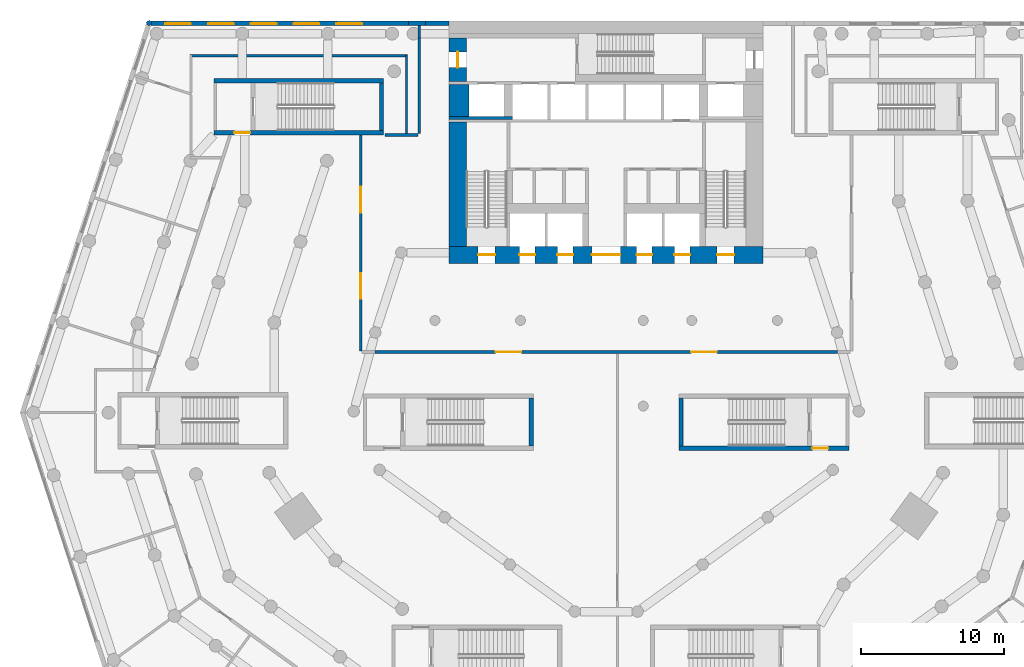
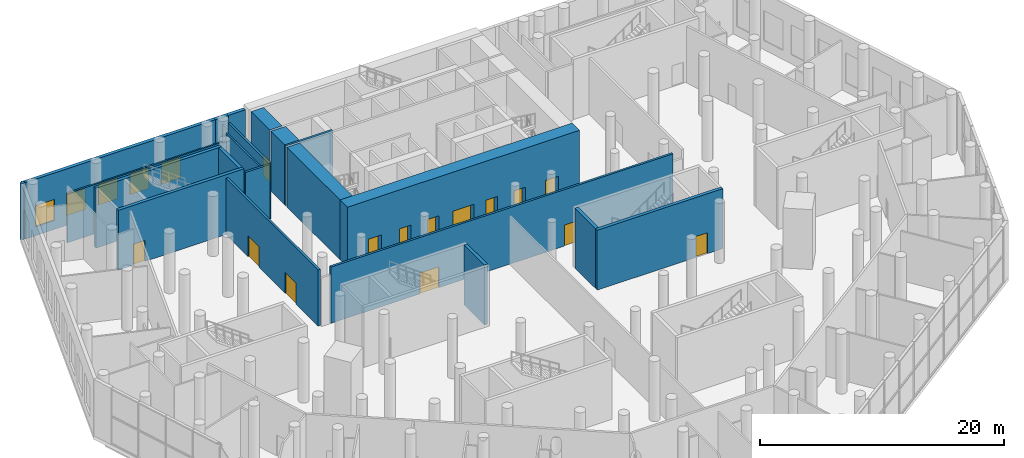
# One storey, part 15 of 23: 22 walls, 14 doors, 5 windows, 19 openings.
"""IFC4 building model written with IfcOpenShell, lengths in metres."""

from ifc_helpers import new_model, si_unit, direction, frame, frame_2d, origin, place, context, subcontext, project, spatial, rectangle, extrude, material, layer, layer_set, type_object, element, fill, save


model = new_model("IFC4")

# Units and contexts
model_context = context("Model", 3, precision=1e-05, world=origin(), true_north=direction((0.0, 1.0)))
body_context = subcontext(model_context, "Body", "Model", "MODEL_VIEW")
ifc_project = project(units=[si_unit("LENGTHUNIT", "METRE"), si_unit("AREAUNIT", "SQUARE_METRE"), si_unit("VOLUMEUNIT", "CUBIC_METRE"), si_unit("PLANEANGLEUNIT", "RADIAN"), si_unit("MASSUNIT", "GRAM", prefix="KILO")], contexts=[model_context])

# Site, building, storey
site_placement = place(None, origin())
site = spatial("IfcSite", under=ifc_project, at=site_placement, CompositionType="ELEMENT")
building_placement = place(site_placement, origin())
building = spatial("IfcBuilding", under=site, at=building_placement, Name="White Candle Pilgrim Tower", CompositionType="ELEMENT")
storey_placement = place(building_placement, frame((0.0, 0.0, 9.0)))
storey = spatial("IfcBuildingStorey", under=building, at=storey_placement, Name="L01", CompositionType="ELEMENT", Elevation=9.0)

# Walls
ifc_material_1 = material(Name="Autoclaved aerated block D500, plastered")
ifc_layer_1 = layer(ifc_material_1, 0.199951171875)
ifc_layer_set_1 = layer_set([ifc_layer_1], Name="Compartment wall 200 mm REI 240")
wall_type_1 = type_object("IfcWallType", Name="Compartment wall 200 mm REI 240", PredefinedType="PARTITIONING", material=ifc_layer_set_1)
wall_1_placement = place(storey_placement, frame((54.4990234375, 80.0, 0.0), z_axis=(0.0, 0.0, 1.0), x_axis=(1.0, 0.0, 0.0)))
element("IfcWall", 1, at=wall_1_placement, inside=storey, type_object=wall_type_1, Name="WL-L01-P003", PredefinedType="PARTITIONING", context=body_context, shape_type="SweptSolid", body=[
    extrude(rectangle(XDim=2.301025390625, YDim=0.199951171875, at=frame_2d((1.150390625, 0.0))), origin(), (0.0, 0.0, 1.0), 5.64990234375),
])
wall_2_placement = place(storey_placement, frame((56.89990234375, 80.10009765625, 0.0), z_axis=(0.0, 0.0, 1.0), x_axis=(0.0, 1.0, 0.0)))
element("IfcWall", 2, at=wall_2_placement, inside=storey, type_object=wall_type_1, Name="WL-L01-P004", PredefinedType="PARTITIONING", context=body_context, shape_type="SweptSolid", body=[
    extrude(rectangle(XDim=6.682373046875, YDim=0.199951171875, at=frame_2d((3.34130859375, 0.0))), origin(), (0.0, 0.0, 1.0), 5.64990234375),
])
wall_3_placement = place(storey_placement, frame((56.89990234375, 86.782470703125, 0.0), z_axis=(0.0, 0.0, 1.0), x_axis=(0.0, 1.0, 0.0)))
element("IfcWall", 3, at=wall_3_placement, inside=storey, type_object=wall_type_1, Name="WL-L01-P004a", PredefinedType="PARTITIONING", context=body_context, shape_type="SweptSolid", body=[
    extrude(rectangle(XDim=0.8974609375, YDim=0.199951171875, at=frame_2d((0.44873046875, 0.0))), origin(), (0.0, 0.0, 1.0), 4.949951171875),
])

# Wall, openings, doors
wall_4_placement = place(storey_placement, frame((86.199951171875, 64.800048828125, 0.0), z_axis=(0.0, 0.0, 1.0), x_axis=(-1.0, 0.0, 0.0)))
wall_4 = element("IfcWall", 4, at=wall_4_placement, inside=storey, type_object=wall_type_1, Name="WL-L01-P034a", PredefinedType="PARTITIONING", context=body_context, shape_type="SweptSolid", body=[
    extrude(rectangle(XDim=32.39990234375, YDim=0.199951171875, at=frame_2d((16.199951171875, 0.0))), origin(), (0.0, 0.0, 1.0), 5.64990234375),
])
opening_1_placement = place(wall_4_placement, frame((8.449951171875, 0.0, 0.0)))
opening_1 = element("IfcOpeningElement", 5, at=opening_1_placement, cuts=wall_4, Name="Opening L01-123", PredefinedType="OPENING", context=body_context, shape_type="SweptSolid", body=[
    extrude(rectangle(XDim=1.800048828125, YDim=2.10009765625, at=frame_2d((0.89990234375, 1.050048828125))), frame((0.0, 0.10986328125, 0.0), z_axis=(0.0, -1.0, 0.0), x_axis=(1.0, 0.0, 0.0)), (0.0, 0.0, 1.0), 0.219970703125),
])
opening_2_placement = place(wall_4_placement, frame((22.14990234375, 0.0, 0.0)))
opening_2 = element("IfcOpeningElement", 6, at=opening_2_placement, cuts=wall_4, Name="Opening L01-124", PredefinedType="OPENING", context=body_context, shape_type="SweptSolid", body=[
    extrude(rectangle(XDim=1.800048828125, YDim=2.10009765625, at=frame_2d((0.89990234375, 1.050048828125))), frame((0.0, 0.10986328125, 0.0), z_axis=(0.0, -1.0, 0.0), x_axis=(1.0, 0.0, 0.0)), (0.0, 0.0, 1.0), 0.219970703125),
])
ifc_material_2 = material(Name="Steel door leaf", Category="steel")
door_type_1 = type_object("IfcDoorType", Name="Compartment door 1800 x 2100 EI 60", OperationType="NOTDEFINED", PredefinedType="DOOR", material=ifc_material_2)
door_1_placement = place(opening_1_placement, frame((1.800048828125, 0.0, 0.0), z_axis=(0.0, 0.0, 1.0), x_axis=(-1.0, 0.0, 0.0)))
door_1 = element("IfcDoor", 7, at=door_1_placement, inside=storey, type_object=door_type_1, Name="Door L01-123", OperationType="DOUBLE_DOOR_SINGLE_SWING", OverallHeight=2.10009765625, OverallWidth=1.800048828125, PredefinedType="DOOR", context=body_context, shape_type="SweptSolid", body=[
    extrude(rectangle(XDim=1.800048828125, YDim=2.10009765625, at=frame_2d((0.89990234375, 1.050048828125))), frame((0.0, 0.02490234375, 0.0), z_axis=(0.0, -1.0, 0.0), x_axis=(1.0, 0.0, 0.0)), (0.0, 0.0, 1.0), 0.050048828125),
])
fill(opening_1, door_1)
door_2_placement = place(opening_2_placement, origin())
door_2 = element("IfcDoor", 8, at=door_2_placement, inside=storey, type_object=door_type_1, Name="Door L01-124", OperationType="DOUBLE_DOOR_SINGLE_SWING", OverallHeight=2.10009765625, OverallWidth=1.800048828125, PredefinedType="DOOR", context=body_context, shape_type="SweptSolid", body=[
    extrude(rectangle(XDim=1.800048828125, YDim=2.10009765625, at=frame_2d((0.89990234375, 1.050048828125))), frame((0.0, 0.02490234375, 0.0), z_axis=(0.0, -1.0, 0.0), x_axis=(1.0, 0.0, 0.0)), (0.0, 0.0, 1.0), 0.050048828125),
])
fill(opening_2, door_2)

wall_5_placement = place(storey_placement, frame((52.800048828125, 64.875, 0.0), z_axis=(0.0, 0.0, 1.0), x_axis=(0.0, 1.0, 0.0)))
wall_5 = element("IfcWall", 9, at=wall_5_placement, inside=storey, type_object=wall_type_1, Name="WL-L01-P035", PredefinedType="PARTITIONING", context=body_context, shape_type="SweptSolid", body=[
    extrude(rectangle(XDim=15.125, YDim=0.199951171875, at=frame_2d((7.5625, 0.0))), origin(), (0.0, 0.0, 1.0), 5.64990234375),
])
opening_3_placement = place(wall_5_placement, frame((3.637451171875, 0.0, 0.0)))
opening_3 = element("IfcOpeningElement", 10, at=opening_3_placement, cuts=wall_5, Name="Opening L01-125", PredefinedType="OPENING", context=body_context, shape_type="SweptSolid", body=[
    extrude(rectangle(XDim=1.800048828125, YDim=2.10009765625, at=frame_2d((0.89990234375, 1.050048828125))), frame((0.0, 0.10986328125, 0.0), z_axis=(0.0, -1.0, 0.0), x_axis=(1.0, 0.0, 0.0)), (0.0, 0.0, 1.0), 0.219970703125),
])
opening_4_placement = place(wall_5_placement, frame((9.6875, 0.0, 0.0)))
opening_4 = element("IfcOpeningElement", 11, at=opening_4_placement, cuts=wall_5, Name="Opening L01-126", PredefinedType="OPENING", context=body_context, shape_type="SweptSolid", body=[
    extrude(rectangle(XDim=1.800048828125, YDim=2.10009765625, at=frame_2d((0.89990234375, 1.050048828125))), frame((0.0, 0.10986328125, 0.0), z_axis=(0.0, -1.0, 0.0), x_axis=(1.0, 0.0, 0.0)), (0.0, 0.0, 1.0), 0.219970703125),
])
door_3_placement = place(opening_3_placement, origin())
door_3 = element("IfcDoor", 12, at=door_3_placement, inside=storey, type_object=door_type_1, Name="Door L01-125", OperationType="DOUBLE_DOOR_SINGLE_SWING", OverallHeight=2.10009765625, OverallWidth=1.800048828125, PredefinedType="DOOR", context=body_context, shape_type="SweptSolid", body=[
    extrude(rectangle(XDim=1.800048828125, YDim=2.10009765625, at=frame_2d((0.89990234375, 1.050048828125))), frame((0.0, 0.02490234375, 0.0), z_axis=(0.0, -1.0, 0.0), x_axis=(1.0, 0.0, 0.0)), (0.0, 0.0, 1.0), 0.050048828125),
])
fill(opening_3, door_3)
door_4_placement = place(opening_4_placement, origin())
door_4 = element("IfcDoor", 13, at=door_4_placement, inside=storey, type_object=door_type_1, Name="Door L01-126", OperationType="DOUBLE_DOOR_SINGLE_SWING", OverallHeight=2.10009765625, OverallWidth=1.800048828125, PredefinedType="DOOR", context=body_context, shape_type="SweptSolid", body=[
    extrude(rectangle(XDim=1.800048828125, YDim=2.10009765625, at=frame_2d((0.89990234375, 1.050048828125))), frame((0.0, 0.02490234375, 0.0), z_axis=(0.0, -1.0, 0.0), x_axis=(1.0, 0.0, 0.0)), (0.0, 0.0, 1.0), 0.050048828125),
])
fill(opening_4, door_4)

# Wall, opening, door
ifc_material_3 = material(Name="Concrete C70/85", Category="concrete")
ifc_layer_2 = layer(ifc_material_3, 1.199951171875)
ifc_layer_set_2 = layer_set([ifc_layer_2], Name="Core wall 1200 mm Concrete C70/85")
wall_type_2 = type_object("IfcWallType", Name="Core wall 1200 mm Concrete C70/85", PredefinedType="SHEAR", material=ifc_layer_set_2)
wall_6_placement = place(storey_placement, frame((59.60009765625, 83.75, 0.0), z_axis=(0.0, 0.0, 1.0), x_axis=(0.0, 1.0, 0.0)))
wall_6 = element("IfcWall", 14, at=wall_6_placement, inside=storey, type_object=wall_type_2, Name="WL-L01-C76", PredefinedType="SHEAR", context=body_context, shape_type="SweptSolid", body=[
    extrude(rectangle(XDim=3.050048828125, YDim=1.199951171875, at=frame_2d((1.52490234375, 0.0))), origin(), (0.0, 0.0, 1.0), 6.0),
])
opening_5_placement = place(wall_6_placement, frame((0.97509765625, 0.0, 0.0)))
opening_5 = element("IfcOpeningElement", 15, at=opening_5_placement, cuts=wall_6, Name="Opening L01-005", PredefinedType="OPENING", context=body_context, shape_type="SweptSolid", body=[
    extrude(rectangle(XDim=1.10009765625, YDim=2.10009765625, at=frame_2d((0.550048828125, 1.050048828125))), frame((0.0, 0.60986328125, 0.0), z_axis=(0.0, -1.0, 0.0), x_axis=(1.0, 0.0, 0.0)), (0.0, 0.0, 1.0), 1.219970703125),
])
door_type_2 = type_object("IfcDoorType", Name="Fire door 1100 x 2100 EI 60", OperationType="NOTDEFINED", PredefinedType="DOOR", material=ifc_material_2)
door_5_placement = place(opening_5_placement, origin())
door_5 = element("IfcDoor", 16, at=door_5_placement, inside=storey, type_object=door_type_2, Name="Door L01-005", OperationType="SINGLE_SWING_LEFT", OverallHeight=2.10009765625, OverallWidth=1.10009765625, PredefinedType="DOOR", context=body_context, shape_type="SweptSolid", body=[
    extrude(rectangle(XDim=1.10009765625, YDim=2.10009765625, at=frame_2d((0.550048828125, 1.050048828125))), frame((0.0, 0.02490234375, 0.0), z_axis=(0.0, -1.0, 0.0), x_axis=(1.0, 0.0, 0.0)), (0.0, 0.0, 1.0), 0.050048828125),
])
fill(opening_5, door_5)

# Walls
ifc_layer_3 = layer(ifc_material_3, 1.39990234375)
ifc_layer_set_3 = layer_set([ifc_layer_3], Name="Core wall 1400 mm Concrete C70/85")
wall_type_3 = type_object("IfcWallType", Name="Core wall 1400 mm Concrete C70/85", PredefinedType="SHEAR", material=ifc_layer_set_3)
wall_7_placement = place(storey_placement, frame((59.699951171875, 81.300048828125, 0.0), z_axis=(0.0, 0.0, 1.0), x_axis=(0.0, 1.0, 0.0)))
element("IfcWall", 17, at=wall_7_placement, inside=storey, type_object=wall_type_3, Name="WL-L01-C69", PredefinedType="SHEAR", context=body_context, shape_type="SweptSolid", body=[
    extrude(rectangle(XDim=2.25, YDim=1.39990234375, at=frame_2d((1.125, 0.0))), origin(), (0.0, 0.0, 1.0), 6.0),
])
ifc_layer_4 = layer(ifc_material_3, 0.199951171875)
ifc_layer_set_4 = layer_set([ifc_layer_4], Name="Core wall 200 mm Concrete C70/85")
wall_type_4 = type_object("IfcWallType", Name="Core wall 200 mm Concrete C70/85", PredefinedType="SHEAR", material=ifc_layer_set_4)
wall_8_placement = place(storey_placement, frame((59.0, 81.199951171875, 0.0), z_axis=(0.0, 0.0, 1.0), x_axis=(1.0, 0.0, 0.0)))
element("IfcWall", 18, at=wall_8_placement, inside=storey, type_object=wall_type_4, Name="WL-L01-C63", PredefinedType="SHEAR", context=body_context, shape_type="SweptSolid", body=[
    extrude(rectangle(XDim=4.449951171875, YDim=0.199951171875, at=frame_2d((2.22509765625, 0.0))), origin(), (0.0, 0.0, 1.0), 6.0),
])
ifc_material_4 = material(Name="Precast concrete C40/50", Category="concrete")
ifc_layer_5 = layer(ifc_material_4, 0.320068359375)
ifc_layer_set_5 = layer_set([ifc_layer_5], Name="Facade wall EW3 precast concrete C40/50 and stone-faced podium wall")
wall_type_5 = type_object("IfcWallType", Name="Facade wall EW3 precast concrete C40/50 and stone-faced podium wall", PredefinedType="SOLIDWALL", material=ifc_layer_set_5)
wall_9_placement = place(storey_placement, frame((38.080078125, 87.92822265625, 0.0), z_axis=(0.0, 0.0, 1.0), x_axis=(-0.809087927272, -0.587687609145, 0.0)))
element("IfcWall", 19, at=wall_9_placement, inside=storey, type_object=wall_type_5, Name="Corner pier L01 N", PredefinedType="SOLIDWALL", context=body_context, shape_type="SweptSolid", body=[
    extrude(rectangle(XDim=0.300048828125, YDim=0.320068359375, at=frame_2d((0.14990234375, 0.0))), origin(), (0.0, 0.0, 1.0), 5.64990234375),
])
wall_10_placement = place(storey_placement, frame((59.0, 87.840087890625, 0.0), z_axis=(0.0, 0.0, 1.0), x_axis=(-1.0, 0.0, 0.0)))
element("IfcWall", 20, at=wall_10_placement, inside=storey, type_object=wall_type_5, Name="Facade wall L01 N", PredefinedType="SOLIDWALL", context=body_context, shape_type="SweptSolid", body=[
    extrude(rectangle(XDim=1.6494140625, YDim=0.320068359375, at=frame_2d((0.82470703125, 0.0))), origin(), (0.0, 0.0, 1.0), 5.64990234375),
])

# Wall, openings, windows
wall_11_placement = place(storey_placement, frame((56.150390625, 87.840087890625, 0.0), z_axis=(0.0, 0.0, 1.0), x_axis=(-1.0, 0.0, 0.0)))
wall_11 = element("IfcWall", 21, at=wall_11_placement, inside=storey, type_object=wall_type_5, Name="Facade wall L01 N", PredefinedType="SOLIDWALL", context=body_context, shape_type="SweptSolid", body=[
    extrude(rectangle(XDim=18.041748046875, YDim=0.320068359375, at=frame_2d((9.02099609375, 0.0))), origin(), (0.0, 0.0, 1.0), 5.64990234375),
])
opening_6_placement = place(wall_11_placement, frame((3.25048828125, 0.0, 0.89990234375)))
opening_6 = element("IfcOpeningElement", 22, at=opening_6_placement, cuts=wall_11, Name="Opening W8", PredefinedType="OPENING", context=body_context, shape_type="SweptSolid", body=[
    extrude(rectangle(XDim=1.800048828125, YDim=2.10009765625, at=frame_2d((0.89990234375, 1.050048828125))), frame((0.0, 0.169921875, 0.0), z_axis=(0.0, -1.0, 0.0), x_axis=(1.0, 0.0, 0.0)), (0.0, 0.0, 1.0), 0.340087890625),
])
opening_7_placement = place(wall_11_placement, frame((6.25048828125, 0.0, 0.89990234375)))
opening_7 = element("IfcOpeningElement", 23, at=opening_7_placement, cuts=wall_11, Name="Opening W8", PredefinedType="OPENING", context=body_context, shape_type="SweptSolid", body=[
    extrude(rectangle(XDim=1.800048828125, YDim=2.10009765625, at=frame_2d((0.89990234375, 1.050048828125))), frame((0.0, 0.169921875, 0.0), z_axis=(0.0, -1.0, 0.0), x_axis=(1.0, 0.0, 0.0)), (0.0, 0.0, 1.0), 0.340087890625),
])
opening_8_placement = place(wall_11_placement, frame((9.25048828125, 0.0, 0.89990234375)))
opening_8 = element("IfcOpeningElement", 24, at=opening_8_placement, cuts=wall_11, Name="Opening W8", PredefinedType="OPENING", context=body_context, shape_type="SweptSolid", body=[
    extrude(rectangle(XDim=1.800048828125, YDim=2.10009765625, at=frame_2d((0.89990234375, 1.050048828125))), frame((0.0, 0.169921875, 0.0), z_axis=(0.0, -1.0, 0.0), x_axis=(1.0, 0.0, 0.0)), (0.0, 0.0, 1.0), 0.340087890625),
])
opening_9_placement = place(wall_11_placement, frame((12.25048828125, 0.0, 0.89990234375)))
opening_9 = element("IfcOpeningElement", 25, at=opening_9_placement, cuts=wall_11, Name="Opening W8", PredefinedType="OPENING", context=body_context, shape_type="SweptSolid", body=[
    extrude(rectangle(XDim=1.800048828125, YDim=2.10009765625, at=frame_2d((0.89990234375, 1.050048828125))), frame((0.0, 0.169921875, 0.0), z_axis=(0.0, -1.0, 0.0), x_axis=(1.0, 0.0, 0.0)), (0.0, 0.0, 1.0), 0.340087890625),
])
opening_10_placement = place(wall_11_placement, frame((15.25048828125, 0.0, 0.89990234375)))
opening_10 = element("IfcOpeningElement", 26, at=opening_10_placement, cuts=wall_11, Name="Opening W8", PredefinedType="OPENING", context=body_context, shape_type="SweptSolid", body=[
    extrude(rectangle(XDim=1.800048828125, YDim=2.10009765625, at=frame_2d((0.89990234375, 1.050048828125))), frame((0.0, 0.169921875, 0.0), z_axis=(0.0, -1.0, 0.0), x_axis=(1.0, 0.0, 0.0)), (0.0, 0.0, 1.0), 0.340087890625),
])
ifc_material_5 = material(Name="Timber frame with triple glazing", Category="wood")
window_type = type_object("IfcWindowType", Name="Window W8 1800x2100 timber frame triple glazing", PartitioningType="SINGLE_PANEL", PredefinedType="WINDOW", material=ifc_material_5)
window_1_placement = place(opening_6_placement, origin())
window_1 = element("IfcWindow", 27, at=window_1_placement, inside=storey, type_object=window_type, Name="Window W8 L01 N 17", OverallHeight=2.10009765625, OverallWidth=1.800048828125, PartitioningType="SINGLE_PANEL", PredefinedType="WINDOW", context=body_context, shape_type="SweptSolid", body=[
    extrude(rectangle(XDim=1.800048828125, YDim=2.10009765625, at=frame_2d((0.89990234375, 1.050048828125))), frame((0.0, 0.070068359375, 0.0), z_axis=(0.0, -1.0, 0.0), x_axis=(1.0, 0.0, 0.0)), (0.0, 0.0, 1.0), 0.06005859375),
])
fill(opening_6, window_1)
window_2_placement = place(opening_7_placement, origin())
window_2 = element("IfcWindow", 28, at=window_2_placement, inside=storey, type_object=window_type, Name="Window W8 L01 N 18", OverallHeight=2.10009765625, OverallWidth=1.800048828125, PartitioningType="SINGLE_PANEL", PredefinedType="WINDOW", context=body_context, shape_type="SweptSolid", body=[
    extrude(rectangle(XDim=1.800048828125, YDim=2.10009765625, at=frame_2d((0.89990234375, 1.050048828125))), frame((0.0, 0.070068359375, 0.0), z_axis=(0.0, -1.0, 0.0), x_axis=(1.0, 0.0, 0.0)), (0.0, 0.0, 1.0), 0.06005859375),
])
fill(opening_7, window_2)
window_3_placement = place(opening_8_placement, origin())
window_3 = element("IfcWindow", 29, at=window_3_placement, inside=storey, type_object=window_type, Name="Window W8 L01 N 19", OverallHeight=2.10009765625, OverallWidth=1.800048828125, PartitioningType="SINGLE_PANEL", PredefinedType="WINDOW", context=body_context, shape_type="SweptSolid", body=[
    extrude(rectangle(XDim=1.800048828125, YDim=2.10009765625, at=frame_2d((0.89990234375, 1.050048828125))), frame((0.0, 0.070068359375, 0.0), z_axis=(0.0, -1.0, 0.0), x_axis=(1.0, 0.0, 0.0)), (0.0, 0.0, 1.0), 0.06005859375),
])
fill(opening_8, window_3)
window_4_placement = place(opening_9_placement, origin())
window_4 = element("IfcWindow", 30, at=window_4_placement, inside=storey, type_object=window_type, Name="Window W8 L01 N 20", OverallHeight=2.10009765625, OverallWidth=1.800048828125, PartitioningType="SINGLE_PANEL", PredefinedType="WINDOW", context=body_context, shape_type="SweptSolid", body=[
    extrude(rectangle(XDim=1.800048828125, YDim=2.10009765625, at=frame_2d((0.89990234375, 1.050048828125))), frame((0.0, 0.070068359375, 0.0), z_axis=(0.0, -1.0, 0.0), x_axis=(1.0, 0.0, 0.0)), (0.0, 0.0, 1.0), 0.06005859375),
])
fill(opening_9, window_4)
window_5_placement = place(opening_10_placement, origin())
window_5 = element("IfcWindow", 31, at=window_5_placement, inside=storey, type_object=window_type, Name="Window W8 L01 N 21", OverallHeight=2.10009765625, OverallWidth=1.800048828125, PartitioningType="SINGLE_PANEL", PredefinedType="WINDOW", context=body_context, shape_type="SweptSolid", body=[
    extrude(rectangle(XDim=1.800048828125, YDim=2.10009765625, at=frame_2d((0.89990234375, 1.050048828125))), frame((0.0, 0.070068359375, 0.0), z_axis=(0.0, -1.0, 0.0), x_axis=(1.0, 0.0, 0.0)), (0.0, 0.0, 1.0), 0.06005859375),
])
fill(opening_10, window_5)

# Walls
ifc_layer_6 = layer(ifc_material_4, 0.320068359375)
ifc_layer_set_6 = layer_set([ifc_layer_6], Name="Facade wall EW9 precast concrete C40/50 compartment junction wall EI 120")
wall_type_6 = type_object("IfcWallType", Name="Facade wall EW9 precast concrete C40/50 compartment junction wall EI 120", PredefinedType="SOLIDWALL", material=ifc_layer_set_6)
wall_12_placement = place(storey_placement, frame((57.3505859375, 87.840087890625, 0.0), z_axis=(0.0, 0.0, 1.0), x_axis=(-1.0, 0.0, 0.0)))
element("IfcWall", 32, at=wall_12_placement, inside=storey, type_object=wall_type_6, Name="Facade wall L01 N", PredefinedType="SOLIDWALL", context=body_context, shape_type="SweptSolid", body=[
    extrude(rectangle(XDim=1.2001953125, YDim=0.320068359375, at=frame_2d((0.60009765625, 0.0))), origin(), (0.0, 0.0, 1.0), 5.64990234375),
])
ifc_material_6 = material(Name="Gypsum board on steel studs", Category="steel")
ifc_layer_7 = layer(ifc_material_6, 0.14990234375)
ifc_layer_set_7 = layer_set([ifc_layer_7], Name="Partition 150 mm EI 60")
wall_type_7 = type_object("IfcWallType", Name="Partition 150 mm EI 60", PredefinedType="PARTITIONING", material=ifc_layer_set_7)
wall_13_placement = place(storey_placement, frame((56.0, 80.10009765625, 0.0), z_axis=(0.0, 0.0, 1.0), x_axis=(0.0, 1.0, 0.0)))
element("IfcWall", 33, at=wall_13_placement, inside=storey, type_object=wall_type_7, Name="WL-L01-P059", PredefinedType="PARTITIONING", context=body_context, shape_type="SweptSolid", body=[
    extrude(rectangle(XDim=5.510009765625, YDim=0.14990234375, at=frame_2d((2.7548828125, 0.0))), origin(), (0.0, 0.0, 1.0), 5.64990234375),
])
wall_14_placement = place(storey_placement, frame((56.06005859375, 85.550048828125, 0.0), z_axis=(0.0, 0.0, 1.0), x_axis=(-1.0, 0.0, 0.0)))
element("IfcWall", 34, at=wall_14_placement, inside=storey, type_object=wall_type_7, Name="WL-L01-P060", PredefinedType="PARTITIONING", context=body_context, shape_type="SweptSolid", body=[
    extrude(rectangle(XDim=15.219970703125, YDim=0.14990234375, at=frame_2d((7.60986328125, 0.0))), origin(), (0.0, 0.0, 1.0), 4.949951171875),
])

# Wall, openings, doors
ifc_layer_8 = layer(ifc_material_3, 1.199951171875)
ifc_layer_set_8 = layer_set([ifc_layer_8], Name="Stair shaft wall 1200 mm Concrete C70/85")
wall_type_8 = type_object("IfcWallType", Name="Stair shaft wall 1200 mm Concrete C70/85", PredefinedType="SHEAR", material=ifc_layer_set_8)
wall_15_placement = place(storey_placement, frame((59.0, 71.60009765625, 0.0), z_axis=(0.0, 0.0, 1.0), x_axis=(1.0, 0.0, 0.0)))
wall_15 = element("IfcWall", 35, at=wall_15_placement, inside=storey, type_object=wall_type_8, Name="WL-L01-C31", PredefinedType="SHEAR", context=body_context, shape_type="SweptSolid", body=[
    extrude(rectangle(XDim=22.0, YDim=1.199951171875, at=frame_2d((11.0, 0.0))), origin(), (0.0, 0.0, 1.0), 6.0),
])
opening_11_placement = place(wall_15_placement, frame((2.02490234375, 0.0, 0.0)))
opening_11 = element("IfcOpeningElement", 36, at=opening_11_placement, cuts=wall_15, Name="Opening L01-001", PredefinedType="OPENING", context=body_context, shape_type="SweptSolid", body=[
    extrude(rectangle(XDim=1.199951171875, YDim=2.10009765625, at=frame_2d((0.60009765625, 1.050048828125))), frame((0.0, 0.60986328125, 0.0), z_axis=(0.0, -1.0, 0.0), x_axis=(1.0, 0.0, 0.0)), (0.0, 0.0, 1.0), 1.219970703125),
])
opening_12_placement = place(wall_15_placement, frame((18.77490234375, 0.0, 0.0)))
opening_12 = element("IfcOpeningElement", 37, at=opening_12_placement, cuts=wall_15, Name="Opening L01-002", PredefinedType="OPENING", context=body_context, shape_type="SweptSolid", body=[
    extrude(rectangle(XDim=1.199951171875, YDim=2.10009765625, at=frame_2d((0.60009765625, 1.050048828125))), frame((0.0, 0.60986328125, 0.0), z_axis=(0.0, -1.0, 0.0), x_axis=(1.0, 0.0, 0.0)), (0.0, 0.0, 1.0), 1.219970703125),
])
opening_13_placement = place(wall_15_placement, frame((10.0, 0.0, 0.0)))
opening_13 = element("IfcOpeningElement", 38, at=opening_13_placement, cuts=wall_15, Name="Opening L01-004", PredefinedType="OPENING", context=body_context, shape_type="SweptSolid", body=[
    extrude(rectangle(XDim=2.0, YDim=2.10009765625, at=frame_2d((1.0, 1.050048828125))), frame((0.0, 0.60986328125, 0.0), z_axis=(0.0, -1.0, 0.0), x_axis=(1.0, 0.0, 0.0)), (0.0, 0.0, 1.0), 1.219970703125),
])
opening_14_placement = place(wall_15_placement, frame((4.925048828125, 0.0, 0.0)))
opening_14 = element("IfcOpeningElement", 39, at=opening_14_placement, cuts=wall_15, Name="Opening L01-026", PredefinedType="OPENING", context=body_context, shape_type="SweptSolid", body=[
    extrude(rectangle(XDim=1.10009765625, YDim=2.10009765625, at=frame_2d((0.550048828125, 1.050048828125))), frame((0.0, 0.60986328125, 0.0), z_axis=(0.0, -1.0, 0.0), x_axis=(1.0, 0.0, 0.0)), (0.0, 0.0, 1.0), 1.219970703125),
])
opening_15_placement = place(wall_15_placement, frame((7.574951171875, 0.0, 0.0)))
opening_15 = element("IfcOpeningElement", 40, at=opening_15_placement, cuts=wall_15, Name="Opening L01-027", PredefinedType="OPENING", context=body_context, shape_type="SweptSolid", body=[
    extrude(rectangle(XDim=1.10009765625, YDim=2.10009765625, at=frame_2d((0.550048828125, 1.050048828125))), frame((0.0, 0.60986328125, 0.0), z_axis=(0.0, -1.0, 0.0), x_axis=(1.0, 0.0, 0.0)), (0.0, 0.0, 1.0), 1.219970703125),
])
opening_16_placement = place(wall_15_placement, frame((13.125, 0.0, 0.0)))
opening_16 = element("IfcOpeningElement", 41, at=opening_16_placement, cuts=wall_15, Name="Opening L01-028", PredefinedType="OPENING", context=body_context, shape_type="SweptSolid", body=[
    extrude(rectangle(XDim=1.10009765625, YDim=2.10009765625, at=frame_2d((0.550048828125, 1.050048828125))), frame((0.0, 0.60986328125, 0.0), z_axis=(0.0, -1.0, 0.0), x_axis=(1.0, 0.0, 0.0)), (0.0, 0.0, 1.0), 1.219970703125),
])
opening_17_placement = place(wall_15_placement, frame((15.77490234375, 0.0, 0.0)))
opening_17 = element("IfcOpeningElement", 42, at=opening_17_placement, cuts=wall_15, Name="Opening L01-029", PredefinedType="OPENING", context=body_context, shape_type="SweptSolid", body=[
    extrude(rectangle(XDim=1.10009765625, YDim=2.10009765625, at=frame_2d((0.550048828125, 1.050048828125))), frame((0.0, 0.60986328125, 0.0), z_axis=(0.0, -1.0, 0.0), x_axis=(1.0, 0.0, 0.0)), (0.0, 0.0, 1.0), 1.219970703125),
])
door_type_3 = type_object("IfcDoorType", Name="Fire door 1200 x 2100 EI 60", OperationType="NOTDEFINED", PredefinedType="DOOR", material=ifc_material_2)
door_6_placement = place(opening_11_placement, frame((1.199951171875, 0.0, 0.0), z_axis=(0.0, 0.0, 1.0), x_axis=(-1.0, 0.0, 0.0)))
door_6 = element("IfcDoor", 43, at=door_6_placement, inside=storey, type_object=door_type_3, Name="Door L01-001", OperationType="SINGLE_SWING_RIGHT", OverallHeight=2.10009765625, OverallWidth=1.199951171875, PredefinedType="DOOR", context=body_context, shape_type="SweptSolid", body=[
    extrude(rectangle(XDim=1.199951171875, YDim=2.10009765625, at=frame_2d((0.60009765625, 1.050048828125))), frame((0.0, 0.02490234375, 0.0), z_axis=(0.0, -1.0, 0.0), x_axis=(1.0, 0.0, 0.0)), (0.0, 0.0, 1.0), 0.050048828125),
])
fill(opening_11, door_6)
door_7_placement = place(opening_12_placement, frame((1.199951171875, 0.0, 0.0), z_axis=(0.0, 0.0, 1.0), x_axis=(-1.0, 0.0, 0.0)))
door_7 = element("IfcDoor", 44, at=door_7_placement, inside=storey, type_object=door_type_3, Name="Door L01-002", OperationType="SINGLE_SWING_LEFT", OverallHeight=2.10009765625, OverallWidth=1.199951171875, PredefinedType="DOOR", context=body_context, shape_type="SweptSolid", body=[
    extrude(rectangle(XDim=1.199951171875, YDim=2.10009765625, at=frame_2d((0.60009765625, 1.050048828125))), frame((0.0, 0.02490234375, 0.0), z_axis=(0.0, -1.0, 0.0), x_axis=(1.0, 0.0, 0.0)), (0.0, 0.0, 1.0), 0.050048828125),
])
fill(opening_12, door_7)
door_type_4 = type_object("IfcDoorType", Name="Fire door 2000 x 2100 EI 60", OperationType="NOTDEFINED", PredefinedType="DOOR", material=ifc_material_2)
door_8_placement = place(opening_13_placement, frame((2.0, 0.0, 0.0), z_axis=(0.0, 0.0, 1.0), x_axis=(-1.0, 0.0, 0.0)))
door_8 = element("IfcDoor", 45, at=door_8_placement, inside=storey, type_object=door_type_4, Name="Door L01-004", OperationType="DOUBLE_DOOR_SINGLE_SWING", OverallHeight=2.10009765625, OverallWidth=2.0, PredefinedType="DOOR", context=body_context, shape_type="SweptSolid", body=[
    extrude(rectangle(XDim=2.0, YDim=2.10009765625, at=frame_2d((1.0, 1.050048828125))), frame((0.0, 0.02490234375, 0.0), z_axis=(0.0, -1.0, 0.0), x_axis=(1.0, 0.0, 0.0)), (0.0, 0.0, 1.0), 0.050048828125),
])
fill(opening_13, door_8)
ifc_material_7 = material(Name="Stainless steel", Category="steel")
door_type_5 = type_object("IfcDoorType", Name="Lift landing door 1100 x 2100 E 60", OperationType="DOUBLE_DOOR_SLIDING", PredefinedType="DOOR", material=ifc_material_7)
door_9_placement = place(opening_14_placement, origin())
door_9 = element("IfcDoor", 46, at=door_9_placement, inside=storey, type_object=door_type_5, Name="Door L01-026", OperationType="DOUBLE_DOOR_SLIDING", OverallHeight=2.10009765625, OverallWidth=1.10009765625, PredefinedType="DOOR", context=body_context, shape_type="SweptSolid", body=[
    extrude(rectangle(XDim=1.10009765625, YDim=2.10009765625, at=frame_2d((0.550048828125, 1.050048828125))), frame((0.0, 0.02490234375, 0.0), z_axis=(0.0, -1.0, 0.0), x_axis=(1.0, 0.0, 0.0)), (0.0, 0.0, 1.0), 0.050048828125),
])
fill(opening_14, door_9)
door_10_placement = place(opening_15_placement, origin())
door_10 = element("IfcDoor", 47, at=door_10_placement, inside=storey, type_object=door_type_5, Name="Door L01-027", OperationType="DOUBLE_DOOR_SLIDING", OverallHeight=2.10009765625, OverallWidth=1.10009765625, PredefinedType="DOOR", context=body_context, shape_type="SweptSolid", body=[
    extrude(rectangle(XDim=1.10009765625, YDim=2.10009765625, at=frame_2d((0.550048828125, 1.050048828125))), frame((0.0, 0.02490234375, 0.0), z_axis=(0.0, -1.0, 0.0), x_axis=(1.0, 0.0, 0.0)), (0.0, 0.0, 1.0), 0.050048828125),
])
fill(opening_15, door_10)
door_11_placement = place(opening_16_placement, origin())
door_11 = element("IfcDoor", 48, at=door_11_placement, inside=storey, type_object=door_type_5, Name="Door L01-028", OperationType="DOUBLE_DOOR_SLIDING", OverallHeight=2.10009765625, OverallWidth=1.10009765625, PredefinedType="DOOR", context=body_context, shape_type="SweptSolid", body=[
    extrude(rectangle(XDim=1.10009765625, YDim=2.10009765625, at=frame_2d((0.550048828125, 1.050048828125))), frame((0.0, 0.02490234375, 0.0), z_axis=(0.0, -1.0, 0.0), x_axis=(1.0, 0.0, 0.0)), (0.0, 0.0, 1.0), 0.050048828125),
])
fill(opening_16, door_11)
door_12_placement = place(opening_17_placement, origin())
door_12 = element("IfcDoor", 49, at=door_12_placement, inside=storey, type_object=door_type_5, Name="Door L01-029", OperationType="DOUBLE_DOOR_SLIDING", OverallHeight=2.10009765625, OverallWidth=1.10009765625, PredefinedType="DOOR", context=body_context, shape_type="SweptSolid", body=[
    extrude(rectangle(XDim=1.10009765625, YDim=2.10009765625, at=frame_2d((0.550048828125, 1.050048828125))), frame((0.0, 0.02490234375, 0.0), z_axis=(0.0, -1.0, 0.0), x_axis=(1.0, 0.0, 0.0)), (0.0, 0.0, 1.0), 0.050048828125),
])
fill(opening_17, door_12)

# Wall
wall_16_placement = place(storey_placement, frame((59.60009765625, 72.199951171875, 0.0), z_axis=(0.0, 0.0, 1.0), x_axis=(0.0, 1.0, 0.0)))
element("IfcWall", 50, at=wall_16_placement, inside=storey, type_object=wall_type_8, Name="WL-L01-C32", PredefinedType="SHEAR", context=body_context, shape_type="SweptSolid", body=[
    extrude(rectangle(XDim=8.699951171875, YDim=1.199951171875, at=frame_2d((4.35009765625, 0.0))), origin(), (0.0, 0.0, 1.0), 6.0),
])

# Wall, opening, door
ifc_layer_9 = layer(ifc_material_3, 0.300048828125)
ifc_layer_set_9 = layer_set([ifc_layer_9], Name="Stair shaft wall 300 mm Concrete C70/85")
wall_type_9 = type_object("IfcWallType", Name="Stair shaft wall 300 mm Concrete C70/85", PredefinedType="SHEAR", material=ifc_layer_set_9)
wall_17_placement = place(storey_placement, frame((75.10009765625, 58.050048828125, 0.0), z_axis=(0.0, 0.0, 1.0), x_axis=(1.0, 0.0, 0.0)))
wall_17 = element("IfcWall", 51, at=wall_17_placement, inside=storey, type_object=wall_type_9, Name="WL-L01-C12", PredefinedType="SHEAR", context=body_context, shape_type="SweptSolid", body=[
    extrude(rectangle(XDim=11.89990234375, YDim=0.300048828125, at=frame_2d((5.949951171875, 0.0))), origin(), (0.0, 0.0, 1.0), 6.0),
])
opening_18_placement = place(wall_17_placement, frame((9.35009765625, 0.0, 0.0)))
opening_18 = element("IfcOpeningElement", 52, at=opening_18_placement, cuts=wall_17, Name="Opening L01-009", PredefinedType="OPENING", context=body_context, shape_type="SweptSolid", body=[
    extrude(rectangle(XDim=1.10009765625, YDim=2.10009765625, at=frame_2d((0.550048828125, 1.050048828125))), frame((0.0, 0.159912109375, 0.0), z_axis=(0.0, -1.0, 0.0), x_axis=(1.0, 0.0, 0.0)), (0.0, 0.0, 1.0), 0.320068359375),
])
door_13_placement = place(opening_18_placement, origin())
door_13 = element("IfcDoor", 53, at=door_13_placement, inside=storey, type_object=door_type_2, Name="Door L01-009", OperationType="SINGLE_SWING_LEFT", OverallHeight=2.10009765625, OverallWidth=1.10009765625, PredefinedType="DOOR", context=body_context, shape_type="SweptSolid", body=[
    extrude(rectangle(XDim=1.10009765625, YDim=2.10009765625, at=frame_2d((0.550048828125, 1.050048828125))), frame((0.0, 0.02490234375, 0.0), z_axis=(0.0, -1.0, 0.0), x_axis=(1.0, 0.0, 0.0)), (0.0, 0.0, 1.0), 0.050048828125),
])
fill(opening_18, door_13)

# Walls
for number, where, z_axis, x_axis, name in (
    (54, (64.75, 58.199951171875, 0.0), (0.0, 0.0, 1.0), (0.0, 1.0, 0.0), "WL-L01-C17"),
    (55, (75.25, 58.199951171875, 0.0), (0.0, 0.0, 1.0), (0.0, 1.0, 0.0), "WL-L01-C18"),
):
    element("IfcWall", number, at=place(storey_placement, frame(where, z_axis=z_axis, x_axis=x_axis)), inside=storey, type_object=wall_type_9, Name=name, PredefinedType="SHEAR", context=body_context, shape_type="SweptSolid", body=[
        extrude(rectangle(XDim=3.35009765625, YDim=0.300048828125, at=frame_2d((1.675048828125, 0.0))), origin(), (0.0, 0.0, 1.0), 6.0),
    ])

# Wall, opening, door
wall_18_placement = place(storey_placement, frame((42.5, 80.14990234375, 0.0), z_axis=(0.0, 0.0, 1.0), x_axis=(1.0, 0.0, 0.0)))
wall_18 = element("IfcWall", 56, at=wall_18_placement, inside=storey, type_object=wall_type_9, Name="WL-L01-C54", PredefinedType="SHEAR", context=body_context, shape_type="SweptSolid", body=[
    extrude(rectangle(XDim=11.89990234375, YDim=0.300048828125, at=frame_2d((5.949951171875, 0.0))), origin(), (0.0, 0.0, 1.0), 6.0),
])
opening_19_placement = place(wall_18_placement, frame((1.449951171875, 0.0, 0.0)))
opening_19 = element("IfcOpeningElement", 57, at=opening_19_placement, cuts=wall_18, Name="Opening L01-019", PredefinedType="OPENING", context=body_context, shape_type="SweptSolid", body=[
    extrude(rectangle(XDim=1.10009765625, YDim=2.10009765625, at=frame_2d((0.550048828125, 1.050048828125))), frame((0.0, 0.159912109375, 0.0), z_axis=(0.0, -1.0, 0.0), x_axis=(1.0, 0.0, 0.0)), (0.0, 0.0, 1.0), 0.320068359375),
])
door_14_placement = place(opening_19_placement, origin())
door_14 = element("IfcDoor", 58, at=door_14_placement, inside=storey, type_object=door_type_2, Name="Door L01-019", OperationType="SINGLE_SWING_LEFT", OverallHeight=2.10009765625, OverallWidth=1.10009765625, PredefinedType="DOOR", context=body_context, shape_type="SweptSolid", body=[
    extrude(rectangle(XDim=1.10009765625, YDim=2.10009765625, at=frame_2d((0.550048828125, 1.050048828125))), frame((0.0, 0.02490234375, 0.0), z_axis=(0.0, -1.0, 0.0), x_axis=(1.0, 0.0, 0.0)), (0.0, 0.0, 1.0), 0.050048828125),
])
fill(opening_19, door_14)

# Walls
wall_19_placement = place(storey_placement, frame((54.25, 80.300048828125, 0.0), z_axis=(0.0, 0.0, 1.0), x_axis=(0.0, 1.0, 0.0)))
element("IfcWall", 59, at=wall_19_placement, inside=storey, type_object=wall_type_9, Name="WL-L01-C58", PredefinedType="SHEAR", context=body_context, shape_type="SweptSolid", body=[
    extrude(rectangle(XDim=3.349853515625, YDim=0.300048828125, at=frame_2d((1.6748046875, 0.0))), origin(), (0.0, 0.0, 1.0), 6.0),
])
wall_20_placement = place(storey_placement, frame((42.5, 83.800048828125, 0.0), z_axis=(0.0, 0.0, 1.0), x_axis=(1.0, 0.0, 0.0)))
element("IfcWall", 60, at=wall_20_placement, inside=storey, type_object=wall_type_9, Name="WL-L01-C74", PredefinedType="SHEAR", context=body_context, shape_type="SweptSolid", body=[
    extrude(rectangle(XDim=11.89990234375, YDim=0.300048828125, at=frame_2d((5.949951171875, 0.0))), origin(), (0.0, 0.0, 1.0), 6.0),
])

save(model, "model.ifc")
